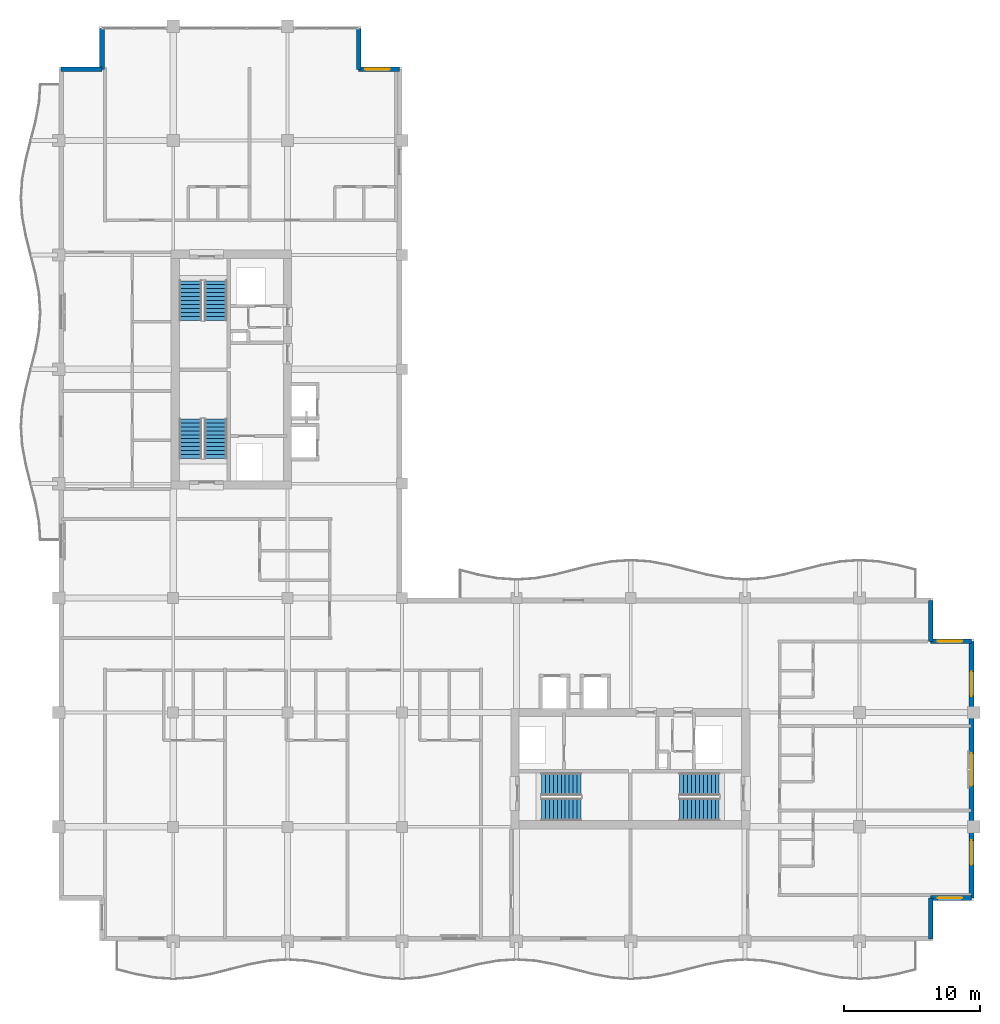
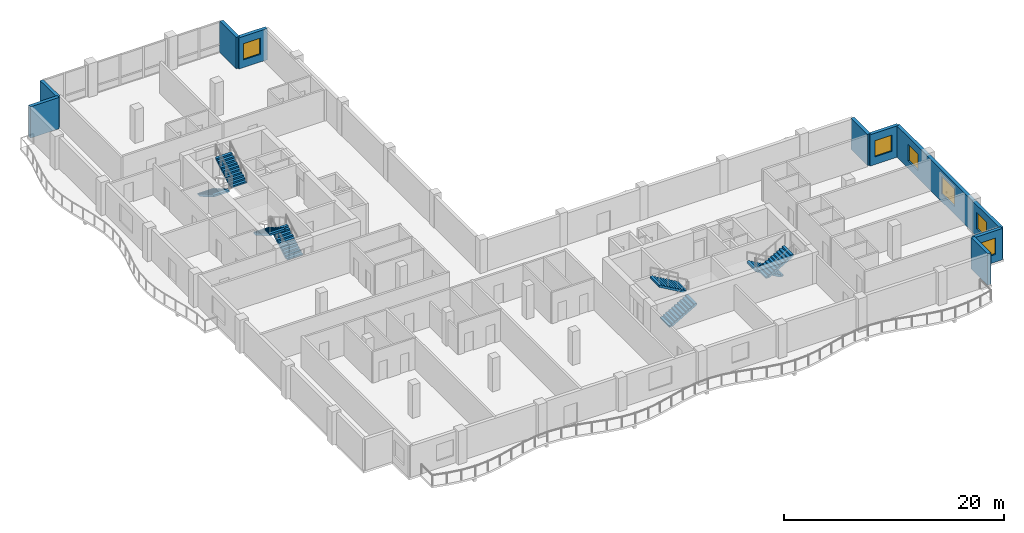
# One storey, part 11 of 17: 9 walls, 8 stair flights, 6 windows, 6 openings, 4 elements without a shape of their own.
"""IFC4 building model written with IfcOpenShell, lengths in metres."""

from ifc_helpers import new_model, si_unit, direction, frame, frame_2d, origin, place, context, subcontext, project, spatial, polyline, rectangle, outline, extrude, material, layer, layer_set, type_object, element, fill, aggregate, save


model = new_model("IFC4")

# Units and contexts
model_context = context("Model", 3, precision=1e-05, world=origin(), true_north=direction((0.0, 1.0)))
body_context = subcontext(model_context, "Body", "Model", "MODEL_VIEW")
ifc_project = project(units=[si_unit("LENGTHUNIT", "METRE"), si_unit("AREAUNIT", "SQUARE_METRE"), si_unit("VOLUMEUNIT", "CUBIC_METRE"), si_unit("PLANEANGLEUNIT", "RADIAN"), si_unit("MASSUNIT", "GRAM", prefix="KILO")], contexts=[model_context])

# Site, building, storey
site_placement = place(None, origin())
site = spatial("IfcSite", under=ifc_project, at=site_placement, CompositionType="ELEMENT")
building_placement = place(site_placement, origin())
building = spatial("IfcBuilding", under=site, at=building_placement, Name="Koriwani Terraces Tower", CompositionType="ELEMENT")
storey_placement = place(building_placement, frame((0.0, 0.0, 237.89990234375)))
storey = spatial("IfcBuildingStorey", under=building, at=storey_placement, Name="L58", CompositionType="ELEMENT", Elevation=237.89990234375)

# Walls
ifc_material_1 = material(Name="Concrete C50/60", Category="concrete")
ifc_layer = layer(ifc_material_1, 0.35009765625, Name="Concrete C50/60")
ifc_layer_set = layer_set([ifc_layer], Name="Concrete C50/60")
wall_type = type_object("IfcWallType", Name="WALL_EXT_BRUTALIST_350", PredefinedType="STANDARD", material=ifc_layer_set)
for number, where, z_axis, x_axis, name in (
    (1, (8.574951171875, 72.425048828125, 0.0), (0.0, 0.0, 1.0), (1.0, 0.0, 0.0), "L58 Fair-Faced Brutalist Exterior Wall (N3)"),
    (2, (11.574951171875, 72.425048828125, 0.0), (0.0, 0.0, 1.0), (0.0, 1.0, 0.0), "L58 Fair-Faced Brutalist Exterior Wall (N4)"),
    (3, (30.425048828125, 75.425048828125, 0.0), (0.0, 0.0, 1.0), (0.0, -1.0, 0.0), "L58 Fair-Faced Brutalist Exterior Wall (N6)"),
):
    element("IfcWall", number, at=place(storey_placement, frame(where, z_axis=z_axis, x_axis=x_axis)), inside=storey, type_object=wall_type, Name=name, PredefinedType="STANDARD", context=body_context, shape_type="SweptSolid", body=[
        extrude(rectangle(XDim=3.0, YDim=0.35009765625, at=frame_2d((1.5, 0.0))), origin(), (0.0, 0.0, 1.0), 3.47021484375),
    ])

# Wall, opening, window
wall_1_placement = place(storey_placement, frame((30.425048828125, 72.425048828125, 0.0), z_axis=(0.0, 0.0, 1.0), x_axis=(1.0, 0.0, 0.0)))
wall_1 = element("IfcWall", 4, at=wall_1_placement, inside=storey, type_object=wall_type, Name="L58 Fair-Faced Brutalist Exterior Wall (N7)", PredefinedType="STANDARD", context=body_context, shape_type="SweptSolid", body=[
    extrude(rectangle(XDim=3.0, YDim=0.35009765625, at=frame_2d((1.5, 0.0))), origin(), (0.0, 0.0, 1.0), 3.47021484375),
])
opening_1_placement = place(wall_1_placement, frame((0.472412109375, 0.0, 0.85009765625)))
opening_1 = element("IfcOpeningElement", 5, at=opening_1_placement, cuts=wall_1, Name="Opening W-04", PredefinedType="OPENING", context=body_context, shape_type="SweptSolid", body=[
    extrude(rectangle(XDim=1.800048828125, YDim=1.800048828125, at=frame_2d((0.89990234375, 0.89990234375))), frame((0.0, 0.18505859375, 0.0), z_axis=(0.0, -1.0, 0.0), x_axis=(1.0, 0.0, 0.0)), (0.0, 0.0, 1.0), 0.3701171875),
])
ifc_material_2 = material(Name="Tempered Laminated Low-E Glass", Category="glass")
window_type_1 = type_object("IfcWindowType", Name="WIN_RES_BED_1800X1800", PartitioningType="DOUBLE_PANEL_VERTICAL", PredefinedType="WINDOW", material=ifc_material_2)
window_1_placement = place(opening_1_placement, origin())
window_1 = element("IfcWindow", 6, at=window_1_placement, inside=storey, type_object=window_type_1, Name="L58 Exterior Window (N7-R48)", OverallHeight=1.800048828125, OverallWidth=1.800048828125, PartitioningType="SINGLE_PANEL", PredefinedType="WINDOW", context=body_context, shape_type="SweptSolid", body=[
    extrude(rectangle(XDim=1.800048828125, YDim=1.800048828125, at=frame_2d((0.89990234375, 0.89990234375))), frame((0.0, 0.030029296875, 0.0), z_axis=(0.0, -1.0, 0.0), x_axis=(1.0, 0.0, 0.0)), (0.0, 0.0, 1.0), 0.06005859375),
])
fill(opening_1, window_1)

# Wall
wall_2_placement = place(storey_placement, frame((72.425048828125, 33.425048828125, 0.0), z_axis=(0.0, 0.0, 1.0), x_axis=(0.0, -1.0, 0.0)))
element("IfcWall", 7, at=wall_2_placement, inside=storey, type_object=wall_type, Name="L58 Fair-Faced Brutalist Exterior Wall (N10)", PredefinedType="STANDARD", context=body_context, shape_type="SweptSolid", body=[
    extrude(rectangle(XDim=3.0, YDim=0.35009765625, at=frame_2d((1.5, 0.0))), origin(), (0.0, 0.0, 1.0), 3.47021484375),
])

# Wall, opening, window
wall_3_placement = place(storey_placement, frame((72.425048828125, 30.425048828125, 0.0), z_axis=(0.0, 0.0, 1.0), x_axis=(1.0, 0.0, 0.0)))
wall_3 = element("IfcWall", 8, at=wall_3_placement, inside=storey, type_object=wall_type, Name="L58 Fair-Faced Brutalist Exterior Wall (N11)", PredefinedType="STANDARD", context=body_context, shape_type="SweptSolid", body=[
    extrude(rectangle(XDim=3.0, YDim=0.35009765625, at=frame_2d((1.5, 0.0))), origin(), (0.0, 0.0, 1.0), 3.47021484375),
])
opening_2_placement = place(wall_3_placement, frame((0.507568359375, 0.0, 0.85009765625)))
opening_2 = element("IfcOpeningElement", 9, at=opening_2_placement, cuts=wall_3, Name="Opening W-04", PredefinedType="OPENING", context=body_context, shape_type="SweptSolid", body=[
    extrude(rectangle(XDim=1.800048828125, YDim=1.800048828125, at=frame_2d((0.89990234375, 0.89990234375))), frame((0.0, 0.18505859375, 0.0), z_axis=(0.0, -1.0, 0.0), x_axis=(1.0, 0.0, 0.0)), (0.0, 0.0, 1.0), 0.3701171875),
])
window_2_placement = place(opening_2_placement, origin())
window_2 = element("IfcWindow", 10, at=window_2_placement, inside=storey, type_object=window_type_1, Name="L58 Exterior Window (N11-R57)", OverallHeight=1.800048828125, OverallWidth=1.800048828125, PartitioningType="SINGLE_PANEL", PredefinedType="WINDOW", context=body_context, shape_type="SweptSolid", body=[
    extrude(rectangle(XDim=1.800048828125, YDim=1.800048828125, at=frame_2d((0.89990234375, 0.89990234375))), frame((0.0, 0.030029296875, 0.0), z_axis=(0.0, -1.0, 0.0), x_axis=(1.0, 0.0, 0.0)), (0.0, 0.0, 1.0), 0.06005859375),
])
fill(opening_2, window_2)

# Wall, openings, windows
wall_4_placement = place(storey_placement, frame((75.425048828125, 30.425048828125, 0.0), z_axis=(0.0, 0.0, 1.0), x_axis=(0.0, -1.0, 0.0)))
wall_4 = element("IfcWall", 11, at=wall_4_placement, inside=storey, type_object=wall_type, Name="L58 Fair-Faced Brutalist Exterior Wall (E_TIP)", PredefinedType="STANDARD", context=body_context, shape_type="SweptSolid", body=[
    extrude(rectangle(XDim=18.85009765625, YDim=0.35009765625, at=frame_2d((9.425048828125, 0.0))), origin(), (0.0, 0.0, 1.0), 3.47021484375),
])
opening_3_placement = place(wall_4_placement, frame((8.22509765625, 0.0, 0.85009765625)))
opening_3 = element("IfcOpeningElement", 12, at=opening_3_placement, cuts=wall_4, Name="Opening W-03", PredefinedType="OPENING", context=body_context, shape_type="SweptSolid", body=[
    extrude(rectangle(XDim=2.39990234375, YDim=1.949951171875, at=frame_2d((1.199951171875, 0.97509765625))), frame((0.0, 0.18505859375, 0.0), z_axis=(0.0, -1.0, 0.0), x_axis=(1.0, 0.0, 0.0)), (0.0, 0.0, 1.0), 0.3701171875),
])
opening_4_placement = place(wall_4_placement, frame((14.625, 0.0, 0.85009765625)))
opening_4 = element("IfcOpeningElement", 13, at=opening_4_placement, cuts=wall_4, Name="Opening W-04", PredefinedType="OPENING", context=body_context, shape_type="SweptSolid", body=[
    extrude(rectangle(XDim=1.800048828125, YDim=1.800048828125, at=frame_2d((0.89990234375, 0.89990234375))), frame((0.0, 0.18505859375, 0.0), z_axis=(0.0, -1.0, 0.0), x_axis=(1.0, 0.0, 0.0)), (0.0, 0.0, 1.0), 0.3701171875),
])
opening_5_placement = place(wall_4_placement, frame((2.22509765625, 0.0, 0.85009765625)))
opening_5 = element("IfcOpeningElement", 14, at=opening_5_placement, cuts=wall_4, Name="Opening W-04", PredefinedType="OPENING", context=body_context, shape_type="SweptSolid", body=[
    extrude(rectangle(XDim=1.800048828125, YDim=1.800048828125, at=frame_2d((0.89990234375, 0.89990234375))), frame((0.0, 0.18505859375, 0.0), z_axis=(0.0, -1.0, 0.0), x_axis=(1.0, 0.0, 0.0)), (0.0, 0.0, 1.0), 0.3701171875),
])
window_3_placement = place(opening_4_placement, origin())
window_3 = element("IfcWindow", 15, at=window_3_placement, inside=storey, type_object=window_type_1, Name="L58 Exterior Window (E_TIP-R51)", OverallHeight=1.800048828125, OverallWidth=1.800048828125, PartitioningType="SINGLE_PANEL", PredefinedType="WINDOW", context=body_context, shape_type="SweptSolid", body=[
    extrude(rectangle(XDim=1.800048828125, YDim=1.800048828125, at=frame_2d((0.89990234375, 0.89990234375))), frame((0.0, 0.030029296875, 0.0), z_axis=(0.0, -1.0, 0.0), x_axis=(1.0, 0.0, 0.0)), (0.0, 0.0, 1.0), 0.06005859375),
])
fill(opening_4, window_3)
window_4_placement = place(opening_5_placement, origin())
window_4 = element("IfcWindow", 16, at=window_4_placement, inside=storey, type_object=window_type_1, Name="L58 Exterior Window (E_TIP-R57)", OverallHeight=1.800048828125, OverallWidth=1.800048828125, PartitioningType="SINGLE_PANEL", PredefinedType="WINDOW", context=body_context, shape_type="SweptSolid", body=[
    extrude(rectangle(XDim=1.800048828125, YDim=1.800048828125, at=frame_2d((0.89990234375, 0.89990234375))), frame((0.0, 0.030029296875, 0.0), z_axis=(0.0, -1.0, 0.0), x_axis=(1.0, 0.0, 0.0)), (0.0, 0.0, 1.0), 0.06005859375),
])
fill(opening_5, window_4)
window_type_2 = type_object("IfcWindowType", Name="WIN_RES_LIVING_2400X1950", PartitioningType="DOUBLE_PANEL_VERTICAL", PredefinedType="WINDOW", material=ifc_material_2)
window_5_placement = place(opening_3_placement, origin())
window_5 = element("IfcWindow", 17, at=window_5_placement, inside=storey, type_object=window_type_2, Name="L58 Exterior Window (E_TIP-3)", OverallHeight=1.949951171875, OverallWidth=2.39990234375, PartitioningType="SINGLE_PANEL", PredefinedType="WINDOW", context=body_context, shape_type="SweptSolid", body=[
    extrude(rectangle(XDim=2.39990234375, YDim=1.949951171875, at=frame_2d((1.199951171875, 0.97509765625))), frame((0.0, 0.030029296875, 0.0), z_axis=(0.0, -1.0, 0.0), x_axis=(1.0, 0.0, 0.0)), (0.0, 0.0, 1.0), 0.06005859375),
])
fill(opening_3, window_5)

# Wall, opening, window
wall_5_placement = place(storey_placement, frame((75.425048828125, 11.574951171875, 0.0), z_axis=(0.0, 0.0, 1.0), x_axis=(-1.0, 0.0, 0.0)))
wall_5 = element("IfcWall", 18, at=wall_5_placement, inside=storey, type_object=wall_type, Name="L58 Fair-Faced Brutalist Exterior Wall (N13)", PredefinedType="STANDARD", context=body_context, shape_type="SweptSolid", body=[
    extrude(rectangle(XDim=3.0, YDim=0.35009765625, at=frame_2d((1.5, 0.0))), origin(), (0.0, 0.0, 1.0), 3.47021484375),
])
opening_6_placement = place(wall_5_placement, frame((0.6923828125, 0.0, 0.85009765625)))
opening_6 = element("IfcOpeningElement", 19, at=opening_6_placement, cuts=wall_5, Name="Opening W-04", PredefinedType="OPENING", context=body_context, shape_type="SweptSolid", body=[
    extrude(rectangle(XDim=1.800048828125, YDim=1.800048828125, at=frame_2d((0.89990234375, 0.89990234375))), frame((0.0, 0.18505859375, 0.0), z_axis=(0.0, -1.0, 0.0), x_axis=(1.0, 0.0, 0.0)), (0.0, 0.0, 1.0), 0.3701171875),
])
window_6_placement = place(opening_6_placement, origin())
window_6 = element("IfcWindow", 20, at=window_6_placement, inside=storey, type_object=window_type_1, Name="L58 Exterior Window (N13-R51)", OverallHeight=1.800048828125, OverallWidth=1.800048828125, PartitioningType="SINGLE_PANEL", PredefinedType="WINDOW", context=body_context, shape_type="SweptSolid", body=[
    extrude(rectangle(XDim=1.800048828125, YDim=1.800048828125, at=frame_2d((0.89990234375, 0.89990234375))), frame((0.0, 0.030029296875, 0.0), z_axis=(0.0, -1.0, 0.0), x_axis=(1.0, 0.0, 0.0)), (0.0, 0.0, 1.0), 0.06005859375),
])
fill(opening_6, window_6)

# Wall
wall_6_placement = place(storey_placement, frame((72.425048828125, 11.574951171875, 0.0), z_axis=(0.0, 0.0, 1.0), x_axis=(0.0, -1.0, 0.0)))
element("IfcWall", 21, at=wall_6_placement, inside=storey, type_object=wall_type, Name="L58 Fair-Faced Brutalist Exterior Wall (N14)", PredefinedType="STANDARD", context=body_context, shape_type="SweptSolid", body=[
    extrude(rectangle(XDim=3.0, YDim=0.35009765625, at=frame_2d((1.5, 0.0))), origin(), (0.0, 0.0, 1.0), 3.47021484375),
])

# Stair, stair flights
ifc_material_3 = material(Name="Concrete C40/50", Category="concrete")
stair_type = type_object("IfcStairType", Name="STAIR_CORE_DOGLEG_1650", PredefinedType="TWO_STRAIGHT_RUN_STAIR", material=ifc_material_3)
stair_1_placement = place(storey_placement, origin())
stair_1 = element("IfcStair", 22, at=stair_1_placement, inside=storey, type_object=stair_type, Name="L58 West Core Exit Stair 1", PredefinedType="HALF_TURN_STAIR")
stair_flight_type = type_object("IfcStairFlightType", Name="STAIR_FLIGHT_RC_1650", PredefinedType="STRAIGHT", material=ifc_material_3)
stair_flight_1_placement = place(storey_placement, frame((19.925048828125, 43.85009765625, 0.0), z_axis=(0.0, 0.0, 1.0), x_axis=(0.0, 1.0, 0.0)))
stair_flight_1 = element("IfcStairFlight", 23, at=stair_flight_1_placement, type_object=stair_flight_type, Name="ST-W1 flight 1", NumberOfRisers=11, NumberOfTreads=10, PredefinedType="STRAIGHT", RiserHeight=0.168181818, TreadLength=0.29, context=body_context, shape_type="SweptSolid", body=[
    extrude(outline(polyline([(0.0, 0.0), (0.0, 0.168212890625), (0.2900390625, 0.168212890625), (0.2900390625, 0.33642578125), (0.580078125, 0.33642578125), (0.580078125, 0.504638671875), (0.8701171875, 0.504638671875), (0.8701171875, 0.672607421875), (1.159912109375, 0.672607421875), (1.159912109375, 0.8408203125), (1.449951171875, 0.8408203125), (1.449951171875, 1.009033203125), (1.739990234375, 1.009033203125), (1.739990234375, 1.17724609375), (2.030029296875, 1.17724609375), (2.030029296875, 1.345458984375), (2.320068359375, 1.345458984375), (2.320068359375, 1.513671875), (2.610107421875, 1.513671875), (2.610107421875, 1.681884765625), (2.89990234375, 1.681884765625), (2.89990234375, 1.85009765625), (2.89990234375, 1.473876953125), (0.358642578125, 0.0), (0.0, 0.0)])), frame((0.0, 0.824951171875, 0.0), z_axis=(0.0, -1.0, 0.0), x_axis=(1.0, 0.0, 0.0)), (0.0, 0.0, 1.0), 1.64990234375),
])
stair_flight_2_placement = place(storey_placement, frame((18.074951171875, 46.75, 1.85009765625), z_axis=(0.0, 0.0, 1.0), x_axis=(0.0, -1.0, 0.0)))
stair_flight_2 = element("IfcStairFlight", 24, at=stair_flight_2_placement, type_object=stair_flight_type, Name="ST-W1 flight 2", NumberOfRisers=11, NumberOfTreads=10, PredefinedType="STRAIGHT", RiserHeight=0.168181818, TreadLength=0.29, context=body_context, shape_type="SweptSolid", body=[
    extrude(outline(polyline([(0.0, 0.0), (0.0, 0.168212890625), (0.2900390625, 0.168212890625), (0.2900390625, 0.33642578125), (0.580078125, 0.33642578125), (0.580078125, 0.504638671875), (0.8701171875, 0.504638671875), (0.8701171875, 0.672607421875), (1.159912109375, 0.672607421875), (1.159912109375, 0.8408203125), (1.449951171875, 0.8408203125), (1.449951171875, 1.009033203125), (1.739990234375, 1.009033203125), (1.739990234375, 1.17724609375), (2.030029296875, 1.17724609375), (2.030029296875, 1.345458984375), (2.320068359375, 1.345458984375), (2.320068359375, 1.513671875), (2.610107421875, 1.513671875), (2.610107421875, 1.681884765625), (2.89990234375, 1.681884765625), (2.89990234375, 1.85009765625), (2.89990234375, 1.473876953125), (0.358642578125, 0.0), (0.0, 0.0)])), frame((0.0, 0.824951171875, 0.0), z_axis=(0.0, -1.0, 0.0), x_axis=(1.0, 0.0, 0.0)), (0.0, 0.0, 1.0), 1.64990234375),
])
aggregate(stair_1, [stair_flight_1, stair_flight_2])

stair_2_placement = place(storey_placement, origin())
stair_2 = element("IfcStair", 25, at=stair_2_placement, inside=storey, type_object=stair_type, Name="L58 West Core Exit Stair 2", PredefinedType="HALF_TURN_STAIR")
stair_flight_3_placement = place(storey_placement, frame((18.074951171875, 56.89990234375, 0.0), z_axis=(0.0, 0.0, 1.0), x_axis=(0.0, -1.0, 0.0)))
stair_flight_3 = element("IfcStairFlight", 26, at=stair_flight_3_placement, type_object=stair_flight_type, Name="ST-W2 flight 1", NumberOfRisers=11, NumberOfTreads=10, PredefinedType="STRAIGHT", RiserHeight=0.168181818, TreadLength=0.29, context=body_context, shape_type="SweptSolid", body=[
    extrude(outline(polyline([(0.0, 0.0), (0.0, 0.168212890625), (0.2900390625, 0.168212890625), (0.2900390625, 0.33642578125), (0.580078125, 0.33642578125), (0.580078125, 0.504638671875), (0.8701171875, 0.504638671875), (0.8701171875, 0.672607421875), (1.159912109375, 0.672607421875), (1.159912109375, 0.8408203125), (1.449951171875, 0.8408203125), (1.449951171875, 1.009033203125), (1.739990234375, 1.009033203125), (1.739990234375, 1.17724609375), (2.030029296875, 1.17724609375), (2.030029296875, 1.345458984375), (2.320068359375, 1.345458984375), (2.320068359375, 1.513671875), (2.610107421875, 1.513671875), (2.610107421875, 1.681884765625), (2.89990234375, 1.681884765625), (2.89990234375, 1.85009765625), (2.89990234375, 1.473876953125), (0.358642578125, 0.0), (0.0, 0.0)])), frame((0.0, 0.824951171875, 0.0), z_axis=(0.0, -1.0, 0.0), x_axis=(1.0, 0.0, 0.0)), (0.0, 0.0, 1.0), 1.64990234375),
])
stair_flight_4_placement = place(storey_placement, frame((19.925048828125, 54.0, 1.85009765625), z_axis=(0.0, 0.0, 1.0), x_axis=(0.0, 1.0, 0.0)))
stair_flight_4 = element("IfcStairFlight", 27, at=stair_flight_4_placement, type_object=stair_flight_type, Name="ST-W2 flight 2", NumberOfRisers=11, NumberOfTreads=10, PredefinedType="STRAIGHT", RiserHeight=0.168181818, TreadLength=0.29, context=body_context, shape_type="SweptSolid", body=[
    extrude(outline(polyline([(0.0, 0.0), (0.0, 0.168212890625), (0.2900390625, 0.168212890625), (0.2900390625, 0.33642578125), (0.580078125, 0.33642578125), (0.580078125, 0.504638671875), (0.8701171875, 0.504638671875), (0.8701171875, 0.672607421875), (1.159912109375, 0.672607421875), (1.159912109375, 0.8408203125), (1.449951171875, 0.8408203125), (1.449951171875, 1.009033203125), (1.739990234375, 1.009033203125), (1.739990234375, 1.17724609375), (2.030029296875, 1.17724609375), (2.030029296875, 1.345458984375), (2.320068359375, 1.345458984375), (2.320068359375, 1.513671875), (2.610107421875, 1.513671875), (2.610107421875, 1.681884765625), (2.89990234375, 1.681884765625), (2.89990234375, 1.85009765625), (2.89990234375, 1.473876953125), (0.358642578125, 0.0), (0.0, 0.0)])), frame((0.0, 0.824951171875, 0.0), z_axis=(0.0, -1.0, 0.0), x_axis=(1.0, 0.0, 0.0)), (0.0, 0.0, 1.0), 1.64990234375),
])
aggregate(stair_2, [stair_flight_3, stair_flight_4])

stair_3_placement = place(storey_placement, origin())
stair_3 = element("IfcStair", 28, at=stair_3_placement, inside=storey, type_object=stair_type, Name="L58 East Core Exit Stair 1", PredefinedType="HALF_TURN_STAIR")
stair_flight_5_placement = place(storey_placement, frame((43.85009765625, 18.074951171875, 0.0), z_axis=(0.0, 0.0, 1.0), x_axis=(1.0, 0.0, 0.0)))
stair_flight_5 = element("IfcStairFlight", 29, at=stair_flight_5_placement, type_object=stair_flight_type, Name="ST-E1 flight 1", NumberOfRisers=11, NumberOfTreads=10, PredefinedType="STRAIGHT", RiserHeight=0.168181818, TreadLength=0.29, context=body_context, shape_type="SweptSolid", body=[
    extrude(outline(polyline([(0.0, 0.0), (0.0, 0.168212890625), (0.2900390625, 0.168212890625), (0.2900390625, 0.33642578125), (0.580078125, 0.33642578125), (0.580078125, 0.504638671875), (0.8701171875, 0.504638671875), (0.8701171875, 0.672607421875), (1.159912109375, 0.672607421875), (1.159912109375, 0.8408203125), (1.449951171875, 0.8408203125), (1.449951171875, 1.009033203125), (1.739990234375, 1.009033203125), (1.739990234375, 1.17724609375), (2.030029296875, 1.17724609375), (2.030029296875, 1.345458984375), (2.320068359375, 1.345458984375), (2.320068359375, 1.513671875), (2.610107421875, 1.513671875), (2.610107421875, 1.681884765625), (2.89990234375, 1.681884765625), (2.89990234375, 1.85009765625), (2.89990234375, 1.473876953125), (0.358642578125, 0.0), (0.0, 0.0)])), frame((0.0, 0.824951171875, 0.0), z_axis=(0.0, -1.0, 0.0), x_axis=(1.0, 0.0, 0.0)), (0.0, 0.0, 1.0), 1.64990234375),
])
stair_flight_6_placement = place(storey_placement, frame((46.75, 19.925048828125, 1.85009765625), z_axis=(0.0, 0.0, 1.0), x_axis=(-1.0, 0.0, 0.0)))
stair_flight_6 = element("IfcStairFlight", 30, at=stair_flight_6_placement, type_object=stair_flight_type, Name="ST-E1 flight 2", NumberOfRisers=11, NumberOfTreads=10, PredefinedType="STRAIGHT", RiserHeight=0.168181818, TreadLength=0.29, context=body_context, shape_type="SweptSolid", body=[
    extrude(outline(polyline([(0.0, 0.0), (0.0, 0.168212890625), (0.2900390625, 0.168212890625), (0.2900390625, 0.33642578125), (0.580078125, 0.33642578125), (0.580078125, 0.504638671875), (0.8701171875, 0.504638671875), (0.8701171875, 0.672607421875), (1.159912109375, 0.672607421875), (1.159912109375, 0.8408203125), (1.449951171875, 0.8408203125), (1.449951171875, 1.009033203125), (1.739990234375, 1.009033203125), (1.739990234375, 1.17724609375), (2.030029296875, 1.17724609375), (2.030029296875, 1.345458984375), (2.320068359375, 1.345458984375), (2.320068359375, 1.513671875), (2.610107421875, 1.513671875), (2.610107421875, 1.681884765625), (2.89990234375, 1.681884765625), (2.89990234375, 1.85009765625), (2.89990234375, 1.473876953125), (0.358642578125, 0.0), (0.0, 0.0)])), frame((0.0, 0.824951171875, 0.0), z_axis=(0.0, -1.0, 0.0), x_axis=(1.0, 0.0, 0.0)), (0.0, 0.0, 1.0), 1.64990234375),
])
aggregate(stair_3, [stair_flight_5, stair_flight_6])

stair_4_placement = place(storey_placement, origin())
stair_4 = element("IfcStair", 31, at=stair_4_placement, inside=storey, type_object=stair_type, Name="L58 East Core Exit Stair 2", PredefinedType="HALF_TURN_STAIR")
stair_flight_7_placement = place(storey_placement, frame((56.89990234375, 19.925048828125, 0.0), z_axis=(0.0, 0.0, 1.0), x_axis=(-1.0, 0.0, 0.0)))
stair_flight_7 = element("IfcStairFlight", 32, at=stair_flight_7_placement, type_object=stair_flight_type, Name="ST-E2 flight 1", NumberOfRisers=11, NumberOfTreads=10, PredefinedType="STRAIGHT", RiserHeight=0.168181818, TreadLength=0.29, context=body_context, shape_type="SweptSolid", body=[
    extrude(outline(polyline([(0.0, 0.0), (0.0, 0.168212890625), (0.2900390625, 0.168212890625), (0.2900390625, 0.33642578125), (0.580078125, 0.33642578125), (0.580078125, 0.504638671875), (0.8701171875, 0.504638671875), (0.8701171875, 0.672607421875), (1.159912109375, 0.672607421875), (1.159912109375, 0.8408203125), (1.449951171875, 0.8408203125), (1.449951171875, 1.009033203125), (1.739990234375, 1.009033203125), (1.739990234375, 1.17724609375), (2.030029296875, 1.17724609375), (2.030029296875, 1.345458984375), (2.320068359375, 1.345458984375), (2.320068359375, 1.513671875), (2.610107421875, 1.513671875), (2.610107421875, 1.681884765625), (2.89990234375, 1.681884765625), (2.89990234375, 1.85009765625), (2.89990234375, 1.473876953125), (0.358642578125, 0.0), (0.0, 0.0)])), frame((0.0, 0.824951171875, 0.0), z_axis=(0.0, -1.0, 0.0), x_axis=(1.0, 0.0, 0.0)), (0.0, 0.0, 1.0), 1.64990234375),
])
stair_flight_8_placement = place(storey_placement, frame((54.0, 18.074951171875, 1.85009765625), z_axis=(0.0, 0.0, 1.0), x_axis=(1.0, 0.0, 0.0)))
stair_flight_8 = element("IfcStairFlight", 33, at=stair_flight_8_placement, type_object=stair_flight_type, Name="ST-E2 flight 2", NumberOfRisers=11, NumberOfTreads=10, PredefinedType="STRAIGHT", RiserHeight=0.168181818, TreadLength=0.29, context=body_context, shape_type="SweptSolid", body=[
    extrude(outline(polyline([(0.0, 0.0), (0.0, 0.168212890625), (0.2900390625, 0.168212890625), (0.2900390625, 0.33642578125), (0.580078125, 0.33642578125), (0.580078125, 0.504638671875), (0.8701171875, 0.504638671875), (0.8701171875, 0.672607421875), (1.159912109375, 0.672607421875), (1.159912109375, 0.8408203125), (1.449951171875, 0.8408203125), (1.449951171875, 1.009033203125), (1.739990234375, 1.009033203125), (1.739990234375, 1.17724609375), (2.030029296875, 1.17724609375), (2.030029296875, 1.345458984375), (2.320068359375, 1.345458984375), (2.320068359375, 1.513671875), (2.610107421875, 1.513671875), (2.610107421875, 1.681884765625), (2.89990234375, 1.681884765625), (2.89990234375, 1.85009765625), (2.89990234375, 1.473876953125), (0.358642578125, 0.0), (0.0, 0.0)])), frame((0.0, 0.824951171875, 0.0), z_axis=(0.0, -1.0, 0.0), x_axis=(1.0, 0.0, 0.0)), (0.0, 0.0, 1.0), 1.64990234375),
])
aggregate(stair_4, [stair_flight_7, stair_flight_8])

save(model, "model.ifc")
